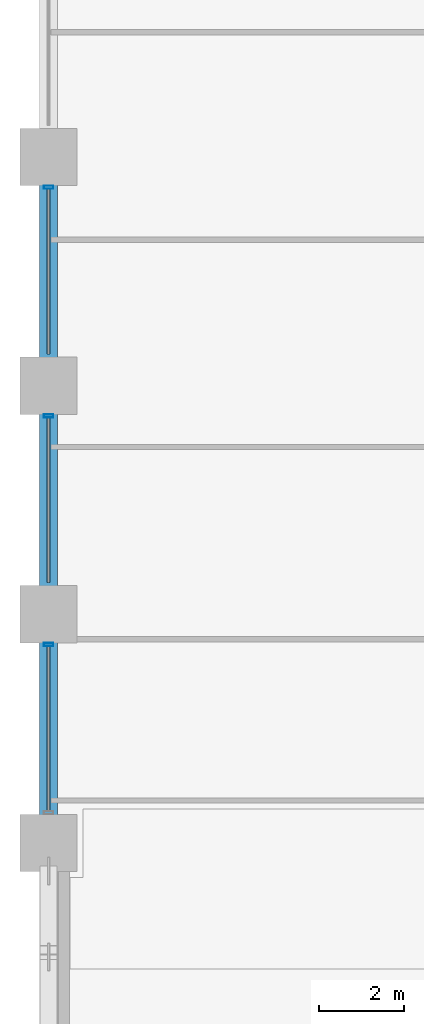
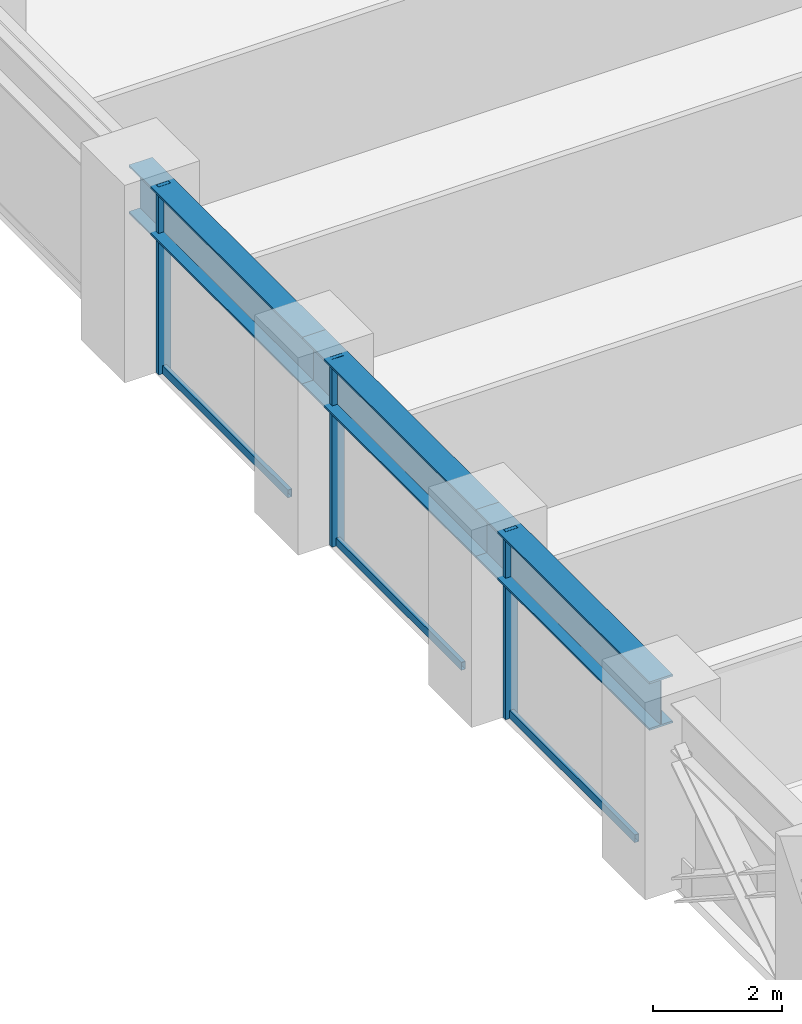
# One storey, part 6 of 25: 6 members, 3 beams, 1 element without a shape of its own.
"""IFC4 building model written with IfcOpenShell, lengths in metres."""

import ifcopenshell
import ifcopenshell.guid

model = None  # the IFC model being written
_history = None  # IfcOwnerHistory: only IFC2X3 demands one
_inside = {}  # id of a spatial element -> (the spatial element, [elements in it])
_under = {}  # id of a project, library or spatial element -> (it, [spatial elements below it])
_declared = {}  # id of a project -> (the project, [libraries it declares])
_typed = {}  # id of a type object -> (the type object, [elements of that type])
_made_of = {}  # id of a material, layer set ... -> (it, [elements and type objects made of it])


def new_model(schema):
    """Start an empty IFC model of exactly this schema.

    Asked for "IFC4X3", IfcOpenShell would pick the latest addendum, in which some entities
    have other attributes; the version numbers below select the first issue.
    IFC2X3 requires an IfcOwnerHistory on every rooted entity: one is made here for all.
    """
    global model, _history
    if schema == "IFC4X3":
        model = ifcopenshell.file(schema_version=(4, 3, 0, 0))
    else:
        model = ifcopenshell.file(schema=schema)
    _inside.clear()
    _under.clear()
    _declared.clear()
    _typed.clear()
    _made_of.clear()
    _history = None
    if model.schema == "IFC2X3":
        org = make("IfcOrganization", Name="unknown")
        user = make(
            "IfcPersonAndOrganization",
            ThePerson=make("IfcPerson", FamilyName="unknown"),
            TheOrganization=org,
        )
        app = make(
            "IfcApplication",
            ApplicationDeveloper=org,
            Version="unknown",
            ApplicationFullName="unknown",
            ApplicationIdentifier="unknown",
        )
        _history = make(
            "IfcOwnerHistory",
            OwningUser=user,
            OwningApplication=app,
            ChangeAction="ADDED",
            CreationDate=0,
        )
    return model


def make(cls, **values):
    """One entity of the class cls with the attributes given. An attribute that is None is left unset."""
    return model.create_entity(
        cls, **{name: value for name, value in values.items() if value is not None}
    )


def rooted(cls, **values):
    """An entity with a GlobalId (a new one), such as an element, a storey or a relation."""
    return make(cls, GlobalId=ifcopenshell.guid.new(), OwnerHistory=_history, **values)


def si_unit(unit_type, name, prefix=None):
    """IfcSIUnit, for example si_unit("LENGTHUNIT", "METRE", prefix="MILLI")."""
    return make("IfcSIUnit", UnitType=unit_type, Prefix=prefix, Name=name)


def assignment(units):
    """IfcUnitAssignment: the units of a project."""
    return None if units is None else make("IfcUnitAssignment", Units=units)


def point(xyz):
    """IfcCartesianPoint."""
    return None if xyz is None else make("IfcCartesianPoint", Coordinates=xyz)


def direction(xyz):
    """IfcDirection."""
    return None if xyz is None else make("IfcDirection", DirectionRatios=xyz)


def frame(location, z_axis=None, x_axis=None):
    """IfcAxis2Placement3D, a coordinate frame: its origin and axes. An axis left out is left unset."""
    return make(
        "IfcAxis2Placement3D",
        Location=point(location),
        Axis=direction(z_axis),
        RefDirection=direction(x_axis),
    )


def frame_2d(location, x_axis=None):
    """IfcAxis2Placement2D, a coordinate frame in the plane: its origin and x axis."""
    return make(
        "IfcAxis2Placement2D", Location=point(location), RefDirection=direction(x_axis)
    )


def origin():
    """The frame at (0, 0, 0) with its axes left unset."""
    return frame((0.0, 0.0, 0.0))


def origin_2d():
    """The frame at (0, 0) in the plane with its x axis left unset."""
    return frame_2d((0.0, 0.0))


def place(relative_to, where):
    """IfcLocalPlacement: puts the frame where relative to a parent placement (None: the world)."""
    return make(
        "IfcLocalPlacement", PlacementRelTo=relative_to, RelativePlacement=where
    )


def context(
    kind, dimensions, precision=None, world=None, true_north=None, identifier=None
):
    """IfcGeometricRepresentationContext, for example the 3D "Model" context."""
    return make(
        "IfcGeometricRepresentationContext",
        ContextIdentifier=identifier,
        ContextType=kind,
        CoordinateSpaceDimension=dimensions,
        Precision=precision,
        WorldCoordinateSystem=world,
        TrueNorth=true_north,
    )


def subcontext(parent, identifier, kind, view, scale=None):
    """IfcGeometricRepresentationSubContext, for example "Body" below "Model"."""
    return make(
        "IfcGeometricRepresentationSubContext",
        ContextIdentifier=identifier,
        ContextType=kind,
        ParentContext=parent,
        TargetScale=scale,
        TargetView=view,
    )


def project(units=None, contexts=None):
    """IfcProject with its units and contexts."""
    return rooted(
        "IfcProject",
        Name="project",
        RepresentationContexts=contexts,
        UnitsInContext=assignment(units),
    )


def spatial(cls, under=None, at=None, **own):
    """A site, building, storey or space (cls), placed at a placement, below another one or the project."""
    s = rooted(cls, ObjectPlacement=at, **own)
    if under is not None:
        _under.setdefault(under.id(), (under, []))[1].append(s)
    return s


def profile(cls, at=None, kind="AREA", **sizes):
    """A parametric profile (cls). Its sizes go by their IFC names, for example OverallWidth=200.0."""
    return make(cls, ProfileType=kind, Position=at, **sizes)


def hollow_rectangle(**sizes):
    """IfcRectangleHollowProfileDef."""
    return profile("IfcRectangleHollowProfileDef", **sizes)


def i_section(**sizes):
    """IfcIShapeProfileDef."""
    return profile("IfcIShapeProfileDef", **sizes)


def extrude(swept, where, along, depth):
    """IfcExtrudedAreaSolid: the profile swept, set in the frame where, extruded along a direction by depth."""
    return make(
        "IfcExtrudedAreaSolid",
        SweptArea=swept,
        Position=where,
        ExtrudedDirection=direction(along),
        Depth=depth,
    )


def shape(context_of_items, identifier, shape_type, items):
    """IfcShapeRepresentation: the items that make up one representation, for example the "Body"."""
    return make(
        "IfcShapeRepresentation",
        ContextOfItems=context_of_items,
        RepresentationIdentifier=identifier,
        RepresentationType=shape_type,
        Items=items,
    )


def material(Name=None, Category=None):
    """IfcMaterial."""
    return make("IfcMaterial", Name=Name, Category=Category)


def layer(
    of_material, thickness, ventilated=None, Name=None, Category=None, Priority=None
):
    """IfcMaterialLayer: one layer of a wall or slab, of a material (None: an air gap)."""
    return make(
        "IfcMaterialLayer",
        Material=of_material,
        LayerThickness=thickness,
        IsVentilated=ventilated,
        Name=Name,
        Category=Category,
        Priority=Priority,
    )


def layer_set(layers, Name=None):
    """IfcMaterialLayerSet."""
    return make("IfcMaterialLayerSet", MaterialLayers=layers, LayerSetName=Name)


def material_profile(
    of_material, cross_section, Name=None, Category=None, Priority=None
):
    """IfcMaterialProfile: a cross section and its material."""
    return make(
        "IfcMaterialProfile",
        Name=Name,
        Material=of_material,
        Profile=cross_section,
        Priority=Priority,
        Category=Category,
    )


def profile_set(profiles, Name=None, composite=None):
    """IfcMaterialProfileSet."""
    return make(
        "IfcMaterialProfileSet",
        Name=Name,
        MaterialProfiles=profiles,
        CompositeProfile=composite,
    )


def made_of(thing, what):
    """Note that an element or type object is made of a material, layer set ...; save() writes the relation."""
    if what is not None:
        _made_of.setdefault(what.id(), (what, []))[1].append(thing)
    return thing


def type_object(cls, material=None, **own):
    """A type object (cls), such as IfcWallType, which elements share."""
    return made_of(rooted(cls, **own), material)


def element(
    cls,
    number,
    at=None,
    inside=None,
    cuts=None,
    type_object=None,
    material=None,
    context=None,
    identifier="Body",
    shape_type=None,
    held_by="IfcProductDefinitionShape",
    body=None,
    shapes=None,
    **own,
):
    """One element of the class cls, such as IfcWall. Its Tag is "e" and its number.

    at: its placement. inside: the storey or other place that contains it. cuts: it is an
    opening in that element (IfcRelVoidsElement). A single representation is given by context,
    identifier, shape_type and body (its items); several are given by shapes. held_by: the class
    of the entity that holds the representations. save() writes the other relations.
    """
    e = rooted(cls, Tag="e%d" % number, ObjectPlacement=at, **own)
    if body is not None:
        shapes = [shape(context, identifier, shape_type, body)]
    if shapes is not None:
        e.Representation = make(held_by, Representations=shapes)
    if inside is not None:
        _inside.setdefault(inside.id(), (inside, []))[1].append(e)
    if cuts is not None:
        rooted(
            "IfcRelVoidsElement", RelatingBuildingElement=cuts, RelatedOpeningElement=e
        )
    if type_object is not None:
        _typed.setdefault(type_object.id(), (type_object, []))[1].append(e)
    return made_of(e, material)


def aggregate(whole, parts):
    """IfcRelAggregates: a whole, such as a stair, and the parts it consists of."""
    return rooted("IfcRelAggregates", RelatingObject=whole, RelatedObjects=parts)


def save(model, path):
    """Write the relations noted so far, then the file.

    IfcRelAggregates (storeys below a building ...), IfcRelContainedInSpatialStructure (elements
    in a storey), IfcRelDefinesByType, IfcRelAssociatesMaterial and IfcRelDeclares: one each for
    every whole, place, type object, material and project.
    """
    for whole, parts in _under.values():
        aggregate(whole, parts)
    for where, things in _inside.values():
        rooted(
            "IfcRelContainedInSpatialStructure",
            RelatedElements=things,
            RelatingStructure=where,
        )
    for kind, things in _typed.values():
        rooted("IfcRelDefinesByType", RelatedObjects=things, RelatingType=kind)
    for what, things in _made_of.values():
        rooted("IfcRelAssociatesMaterial", RelatedObjects=things, RelatingMaterial=what)
    for by, libraries in _declared.values():
        rooted("IfcRelDeclares", RelatingContext=by, RelatedDefinitions=libraries)
    model.write(path)


model = new_model("IFC4")

# Units and contexts
model_context = context("Model", 3, precision=1e-05, world=origin(), true_north=direction((0.0, 1.0)))
body_context = subcontext(model_context, "Body", "Model", "MODEL_VIEW")
ifc_project = project(units=[si_unit("LENGTHUNIT", "METRE"), si_unit("AREAUNIT", "SQUARE_METRE"), si_unit("VOLUMEUNIT", "CUBIC_METRE"), si_unit("PLANEANGLEUNIT", "RADIAN"), si_unit("MASSUNIT", "GRAM", prefix="KILO")], contexts=[model_context])

# Site, building, storey
site_placement = place(None, origin())
site = spatial("IfcSite", under=ifc_project, at=site_placement, CompositionType="ELEMENT")
building_placement = place(site_placement, origin())
building = spatial("IfcBuilding", under=site, at=building_placement, Name="Surkhivell Harbour Commons", CompositionType="ELEMENT")
storey_placement = place(building_placement, frame((0.0, 0.0, 37.5)))
storey = spatial("IfcBuildingStorey", under=building, at=storey_placement, Name="L09", CompositionType="ELEMENT", Elevation=37.5)

# Beams
ifc_material_1 = material(Name="Steel S460", Category="steel")
ifc_material_profile_1 = material_profile(ifc_material_1, i_section(OverallWidth=0.419921875, OverallDepth=0.9208984375, WebThickness=0.021484375, FlangeThickness=0.03662109375, at=origin_2d()), Name="UB914x419x388")
ifc_profile_set_1 = profile_set([ifc_material_profile_1], Name="Steel S460")
beam_type = type_object("IfcBeamType", Name="BM-SPN-914A", PredefinedType="SPANDREL", material=ifc_profile_set_1)
beam_placement = place(storey_placement, frame((-32.39990234375, -10.800048828125, 3.109619140625), z_axis=(0.0, 1.0, 0.0), x_axis=(-1.0, 0.0, 0.0)))
element("IfcBeam", 1, at=beam_placement, inside=storey, type_object=beam_type, Name="L09 Tube Spandrel (-32.4,-10.8)", PredefinedType="SPANDREL", context=body_context, shape_type="SweptSolid", body=[
    extrude(i_section(OverallWidth=0.419921875, OverallDepth=0.9208984375, WebThickness=0.021484375, FlangeThickness=0.03662109375, at=origin_2d()), origin(), (0.0, 0.0, 1.0), 5.400146484375),
])
for number, where, z_axis, x_axis, name in (
    (2, (-32.39990234375, -5.39990234375, 3.109619140625), (0.0, 1.0, 0.0), (-1.0, 0.0, 0.0), "L09 Tube Spandrel (-32.4,-5.4)"),
    (3, (-32.39990234375, 0.0, 3.109619140625), (0.0, 1.0, 0.0), (-1.0, 0.0, 0.0), "L09 Tube Spandrel (-32.4,0.0)"),
):
    element("IfcBeam", number, at=place(storey_placement, frame(where, z_axis=z_axis, x_axis=x_axis)), inside=storey, type_object=beam_type, Name=name, PredefinedType="SPANDREL", context=body_context, shape_type="SweptSolid", body=[
        extrude(i_section(OverallWidth=0.419921875, OverallDepth=0.9208984375, WebThickness=0.021484375, FlangeThickness=0.03662109375, at=origin_2d()), origin(), (0.0, 0.0, 1.0), 5.39990234375),
    ])

# Curtain wall, members
ifc_material_2 = material(Name="Anodised pale-metal aluminium and insulated glazing", Category="aluminium")
ifc_layer = layer(ifc_material_2, 0.219970703125)
ifc_layer_set = layer_set([ifc_layer], Name="Anodised pale-metal aluminium and insulated glazing")
curtain_wall_type = type_object("IfcCurtainWallType", Name="CW-SYS-Z1", PredefinedType="NOTDEFINED", material=ifc_layer_set)
curtain_wall_placement = place(storey_placement, origin())
curtain_wall = element("IfcCurtainWall", 4, at=curtain_wall_placement, inside=storey, type_object=curtain_wall_type, Name="L09 Curtain Wall CW-L09-E12S1", PredefinedType="NOTDEFINED")
ifc_material_3 = material(Name="Anodised pale-metal aluminium alloy 6063-T6", Category="aluminium")
ifc_material_profile_2 = material_profile(ifc_material_3, hollow_rectangle(XDim=0.074951171875, YDim=0.219970703125, WallThickness=0.00390625, at=origin_2d()), Name="ALU-MULL-75x220")
ifc_profile_set_2 = profile_set([ifc_material_profile_2], Name="Anodised pale-metal aluminium alloy 6063-T6")
member_type_1 = type_object("IfcMemberType", Name="CWM-220", PredefinedType="MULLION", material=ifc_profile_set_2)
member_1_placement = place(storey_placement, frame((-32.39990234375, 4.685546875, 0.0), z_axis=(0.0, 0.0, 1.0), x_axis=(0.0, -1.0, 0.0)))
member_1 = element("IfcMember", 5, at=member_1_placement, type_object=member_type_1, Name="CW-Z1 mullion 4", PredefinedType="MULLION", context=body_context, shape_type="SweptSolid", body=[
    extrude(hollow_rectangle(XDim=0.074951171875, YDim=0.219970703125, WallThickness=0.00390625, at=origin_2d()), origin(), (0.0, 0.0, 1.0), 3.570068359375),
])
member_2_placement = place(storey_placement, frame((-32.39990234375, -0.714599609375, 0.0), z_axis=(0.0, 0.0, 1.0), x_axis=(0.0, -1.0, 0.0)))
member_2 = element("IfcMember", 6, at=member_2_placement, type_object=member_type_1, Name="CW-Z1 mullion 5", PredefinedType="MULLION", context=body_context, shape_type="SweptSolid", body=[
    extrude(hollow_rectangle(XDim=0.074951171875, YDim=0.219970703125, WallThickness=0.00390625, at=origin_2d()), origin(), (0.0, 0.0, 1.0), 3.570068359375),
])
member_3_placement = place(storey_placement, frame((-32.39990234375, -6.114501953125, 0.0), z_axis=(0.0, 0.0, 1.0), x_axis=(0.0, -1.0, 0.0)))
member_3 = element("IfcMember", 7, at=member_3_placement, type_object=member_type_1, Name="CW-Z1 mullion 6", PredefinedType="MULLION", context=body_context, shape_type="SweptSolid", body=[
    extrude(hollow_rectangle(XDim=0.074951171875, YDim=0.219970703125, WallThickness=0.00390625, at=origin_2d()), origin(), (0.0, 0.0, 1.0), 3.570068359375),
])
ifc_material_profile_3 = material_profile(ifc_material_3, hollow_rectangle(XDim=0.074951171875, YDim=0.14990234375, WallThickness=0.00341796875, at=origin_2d()), Name="ALU-TRAN-75x150")
ifc_profile_set_3 = profile_set([ifc_material_profile_3], Name="Anodised pale-metal aluminium alloy 6063-T6")
member_type_2 = type_object("IfcMemberType", Name="CWT-150", PredefinedType="USERDEFINED", material=ifc_profile_set_3)
member_4_placement = place(storey_placement, frame((-32.39990234375, 4.64794921875, 0.074951171875), z_axis=(0.0, -1.0, 0.0), x_axis=(1.0, 0.0, 0.0)))
member_4 = element("IfcMember", 8, at=member_4_placement, type_object=member_type_2, Name="CW-Z1 transom 4.1", ObjectType="TRANSOM", PredefinedType="USERDEFINED", context=body_context, shape_type="SweptSolid", body=[
    extrude(hollow_rectangle(XDim=0.074951171875, YDim=0.14990234375, WallThickness=0.00341796875, at=origin_2d()), origin(), (0.0, 0.0, 1.0), 3.89599609375),
])
member_5_placement = place(storey_placement, frame((-32.39990234375, -0.751953125, 0.074951171875), z_axis=(0.0, -1.0, 0.0), x_axis=(1.0, 0.0, 0.0)))
member_5 = element("IfcMember", 9, at=member_5_placement, type_object=member_type_2, Name="CW-Z1 transom 5.1", ObjectType="TRANSOM", PredefinedType="USERDEFINED", context=body_context, shape_type="SweptSolid", body=[
    extrude(hollow_rectangle(XDim=0.074951171875, YDim=0.14990234375, WallThickness=0.00341796875, at=origin_2d()), origin(), (0.0, 0.0, 1.0), 3.89599609375),
])
member_6_placement = place(storey_placement, frame((-32.39990234375, -6.152099609375, 0.074951171875), z_axis=(0.0, -1.0, 0.0), x_axis=(1.0, 0.0, 0.0)))
member_6 = element("IfcMember", 10, at=member_6_placement, type_object=member_type_2, Name="CW-Z1 transom 6.1", ObjectType="TRANSOM", PredefinedType="USERDEFINED", context=body_context, shape_type="SweptSolid", body=[
    extrude(hollow_rectangle(XDim=0.074951171875, YDim=0.14990234375, WallThickness=0.00341796875, at=origin_2d()), origin(), (0.0, 0.0, 1.0), 3.89599609375),
])
aggregate(curtain_wall, [member_1, member_4, member_2, member_5, member_3, member_6])

save(model, "model.ifc")
